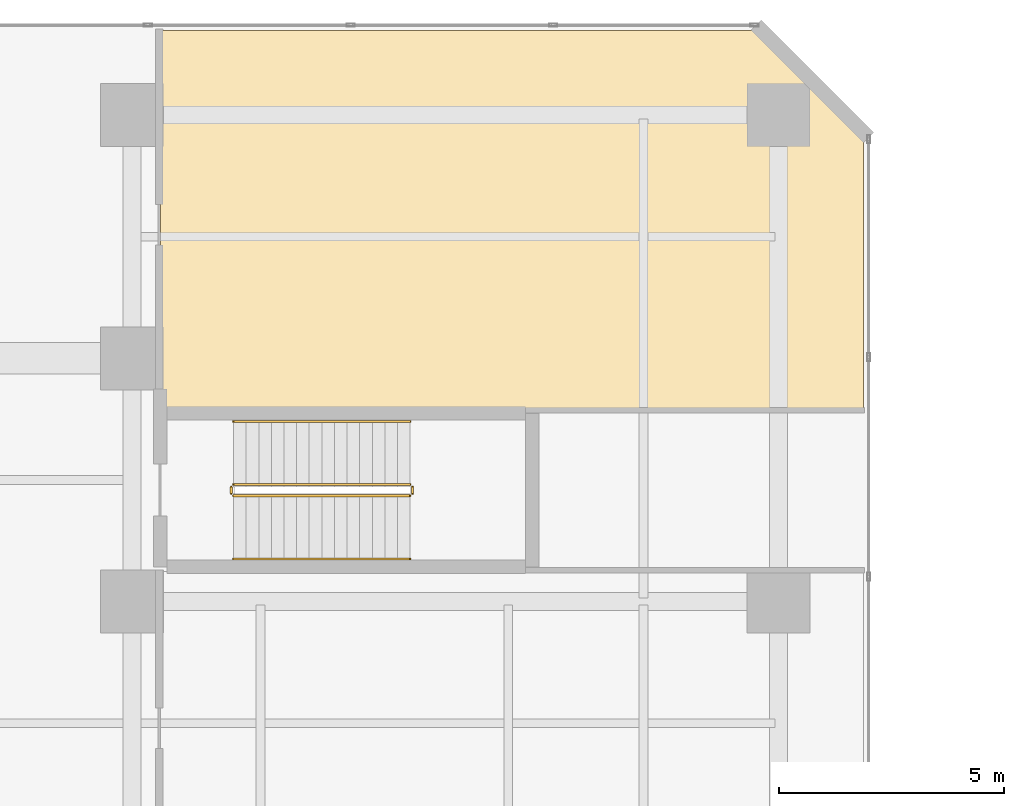
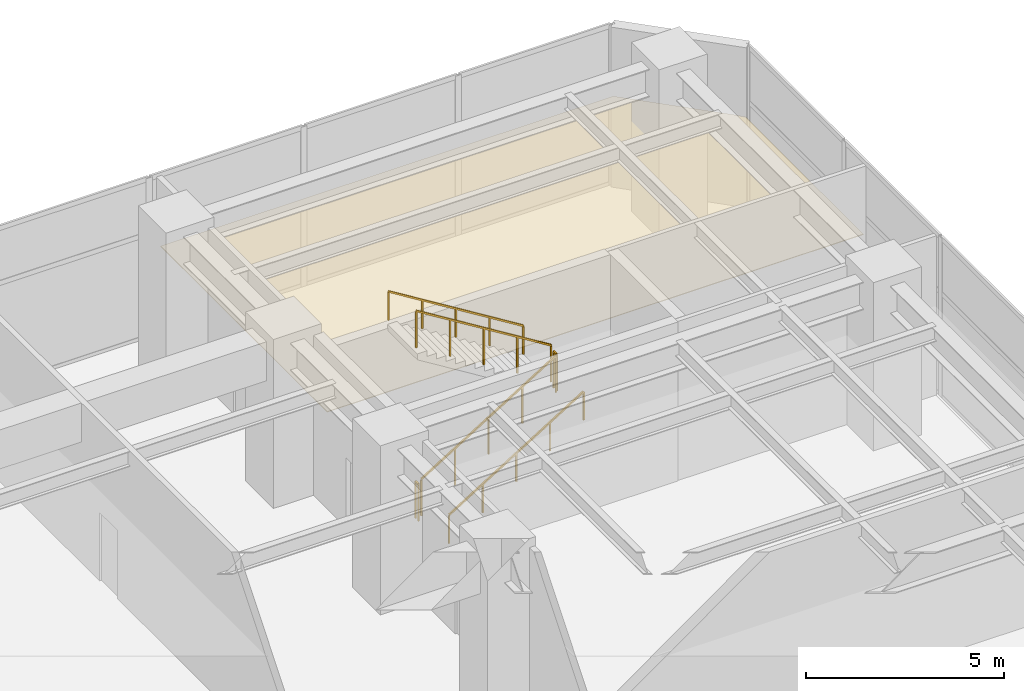
# One storey, part 22 of 22: 6 railings, 1 covering.
"""IFC4 building model written with IfcOpenShell, lengths in metres."""

import ifcopenshell
import ifcopenshell.guid

model = None  # the IFC model being written
_history = None  # IfcOwnerHistory: only IFC2X3 demands one
_inside = {}  # id of a spatial element -> (the spatial element, [elements in it])
_under = {}  # id of a project, library or spatial element -> (it, [spatial elements below it])
_declared = {}  # id of a project -> (the project, [libraries it declares])
_typed = {}  # id of a type object -> (the type object, [elements of that type])
_made_of = {}  # id of a material, layer set ... -> (it, [elements and type objects made of it])


def new_model(schema):
    """Start an empty IFC model of exactly this schema.

    Asked for "IFC4X3", IfcOpenShell would pick the latest addendum, in which some entities
    have other attributes; the version numbers below select the first issue.
    IFC2X3 requires an IfcOwnerHistory on every rooted entity: one is made here for all.
    """
    global model, _history
    if schema == "IFC4X3":
        model = ifcopenshell.file(schema_version=(4, 3, 0, 0))
    else:
        model = ifcopenshell.file(schema=schema)
    _inside.clear()
    _under.clear()
    _declared.clear()
    _typed.clear()
    _made_of.clear()
    _history = None
    if model.schema == "IFC2X3":
        org = make("IfcOrganization", Name="unknown")
        user = make(
            "IfcPersonAndOrganization",
            ThePerson=make("IfcPerson", FamilyName="unknown"),
            TheOrganization=org,
        )
        app = make(
            "IfcApplication",
            ApplicationDeveloper=org,
            Version="unknown",
            ApplicationFullName="unknown",
            ApplicationIdentifier="unknown",
        )
        _history = make(
            "IfcOwnerHistory",
            OwningUser=user,
            OwningApplication=app,
            ChangeAction="ADDED",
            CreationDate=0,
        )
    return model


def make(cls, **values):
    """One entity of the class cls with the attributes given. An attribute that is None is left unset."""
    return model.create_entity(
        cls, **{name: value for name, value in values.items() if value is not None}
    )


def rooted(cls, **values):
    """An entity with a GlobalId (a new one), such as an element, a storey or a relation."""
    return make(cls, GlobalId=ifcopenshell.guid.new(), OwnerHistory=_history, **values)


def si_unit(unit_type, name, prefix=None):
    """IfcSIUnit, for example si_unit("LENGTHUNIT", "METRE", prefix="MILLI")."""
    return make("IfcSIUnit", UnitType=unit_type, Prefix=prefix, Name=name)


def assignment(units):
    """IfcUnitAssignment: the units of a project."""
    return None if units is None else make("IfcUnitAssignment", Units=units)


def point(xyz):
    """IfcCartesianPoint."""
    return None if xyz is None else make("IfcCartesianPoint", Coordinates=xyz)


def direction(xyz):
    """IfcDirection."""
    return None if xyz is None else make("IfcDirection", DirectionRatios=xyz)


def frame(location, z_axis=None, x_axis=None):
    """IfcAxis2Placement3D, a coordinate frame: its origin and axes. An axis left out is left unset."""
    return make(
        "IfcAxis2Placement3D",
        Location=point(location),
        Axis=direction(z_axis),
        RefDirection=direction(x_axis),
    )


def frame_2d(location, x_axis=None):
    """IfcAxis2Placement2D, a coordinate frame in the plane: its origin and x axis."""
    return make(
        "IfcAxis2Placement2D", Location=point(location), RefDirection=direction(x_axis)
    )


def origin():
    """The frame at (0, 0, 0) with its axes left unset."""
    return frame((0.0, 0.0, 0.0))


def origin_2d():
    """The frame at (0, 0) in the plane with its x axis left unset."""
    return frame_2d((0.0, 0.0))


def place(relative_to, where):
    """IfcLocalPlacement: puts the frame where relative to a parent placement (None: the world)."""
    return make(
        "IfcLocalPlacement", PlacementRelTo=relative_to, RelativePlacement=where
    )


def context(
    kind, dimensions, precision=None, world=None, true_north=None, identifier=None
):
    """IfcGeometricRepresentationContext, for example the 3D "Model" context."""
    return make(
        "IfcGeometricRepresentationContext",
        ContextIdentifier=identifier,
        ContextType=kind,
        CoordinateSpaceDimension=dimensions,
        Precision=precision,
        WorldCoordinateSystem=world,
        TrueNorth=true_north,
    )


def subcontext(parent, identifier, kind, view, scale=None):
    """IfcGeometricRepresentationSubContext, for example "Body" below "Model"."""
    return make(
        "IfcGeometricRepresentationSubContext",
        ContextIdentifier=identifier,
        ContextType=kind,
        ParentContext=parent,
        TargetScale=scale,
        TargetView=view,
    )


def project(units=None, contexts=None):
    """IfcProject with its units and contexts."""
    return rooted(
        "IfcProject",
        Name="project",
        RepresentationContexts=contexts,
        UnitsInContext=assignment(units),
    )


def spatial(cls, under=None, at=None, **own):
    """A site, building, storey or space (cls), placed at a placement, below another one or the project."""
    s = rooted(cls, ObjectPlacement=at, **own)
    if under is not None:
        _under.setdefault(under.id(), (under, []))[1].append(s)
    return s


def polyline(points):
    """IfcPolyline through the points."""
    return make("IfcPolyline", Points=[point(p) for p in points])


def profile(cls, at=None, kind="AREA", **sizes):
    """A parametric profile (cls). Its sizes go by their IFC names, for example OverallWidth=200.0."""
    return make(cls, ProfileType=kind, Position=at, **sizes)


def rectangle(**sizes):
    """IfcRectangleProfileDef."""
    return profile("IfcRectangleProfileDef", **sizes)


def outline(outer, holes=None, kind="AREA"):
    """IfcArbitraryClosedProfileDef: a profile drawn as a closed curve; with holes, ...WithVoids."""
    if holes is None:
        return make("IfcArbitraryClosedProfileDef", ProfileType=kind, OuterCurve=outer)
    return make(
        "IfcArbitraryProfileDefWithVoids",
        ProfileType=kind,
        OuterCurve=outer,
        InnerCurves=holes,
    )


def extrude(swept, where, along, depth):
    """IfcExtrudedAreaSolid: the profile swept, set in the frame where, extruded along a direction by depth."""
    return make(
        "IfcExtrudedAreaSolid",
        SweptArea=swept,
        Position=where,
        ExtrudedDirection=direction(along),
        Depth=depth,
    )


def shape(context_of_items, identifier, shape_type, items):
    """IfcShapeRepresentation: the items that make up one representation, for example the "Body"."""
    return make(
        "IfcShapeRepresentation",
        ContextOfItems=context_of_items,
        RepresentationIdentifier=identifier,
        RepresentationType=shape_type,
        Items=items,
    )


def material(Name=None, Category=None):
    """IfcMaterial."""
    return make("IfcMaterial", Name=Name, Category=Category)


def layer(
    of_material, thickness, ventilated=None, Name=None, Category=None, Priority=None
):
    """IfcMaterialLayer: one layer of a wall or slab, of a material (None: an air gap)."""
    return make(
        "IfcMaterialLayer",
        Material=of_material,
        LayerThickness=thickness,
        IsVentilated=ventilated,
        Name=Name,
        Category=Category,
        Priority=Priority,
    )


def layer_set(layers, Name=None):
    """IfcMaterialLayerSet."""
    return make("IfcMaterialLayerSet", MaterialLayers=layers, LayerSetName=Name)


def made_of(thing, what):
    """Note that an element or type object is made of a material, layer set ...; save() writes the relation."""
    if what is not None:
        _made_of.setdefault(what.id(), (what, []))[1].append(thing)
    return thing


def type_object(cls, material=None, **own):
    """A type object (cls), such as IfcWallType, which elements share."""
    return made_of(rooted(cls, **own), material)


def element(
    cls,
    number,
    at=None,
    inside=None,
    cuts=None,
    type_object=None,
    material=None,
    context=None,
    identifier="Body",
    shape_type=None,
    held_by="IfcProductDefinitionShape",
    body=None,
    shapes=None,
    **own,
):
    """One element of the class cls, such as IfcWall. Its Tag is "e" and its number.

    at: its placement. inside: the storey or other place that contains it. cuts: it is an
    opening in that element (IfcRelVoidsElement). A single representation is given by context,
    identifier, shape_type and body (its items); several are given by shapes. held_by: the class
    of the entity that holds the representations. save() writes the other relations.
    """
    e = rooted(cls, Tag="e%d" % number, ObjectPlacement=at, **own)
    if body is not None:
        shapes = [shape(context, identifier, shape_type, body)]
    if shapes is not None:
        e.Representation = make(held_by, Representations=shapes)
    if inside is not None:
        _inside.setdefault(inside.id(), (inside, []))[1].append(e)
    if cuts is not None:
        rooted(
            "IfcRelVoidsElement", RelatingBuildingElement=cuts, RelatedOpeningElement=e
        )
    if type_object is not None:
        _typed.setdefault(type_object.id(), (type_object, []))[1].append(e)
    return made_of(e, material)


def aggregate(whole, parts):
    """IfcRelAggregates: a whole, such as a stair, and the parts it consists of."""
    return rooted("IfcRelAggregates", RelatingObject=whole, RelatedObjects=parts)


def save(model, path):
    """Write the relations noted so far, then the file.

    IfcRelAggregates (storeys below a building ...), IfcRelContainedInSpatialStructure (elements
    in a storey), IfcRelDefinesByType, IfcRelAssociatesMaterial and IfcRelDeclares: one each for
    every whole, place, type object, material and project.
    """
    for whole, parts in _under.values():
        aggregate(whole, parts)
    for where, things in _inside.values():
        rooted(
            "IfcRelContainedInSpatialStructure",
            RelatedElements=things,
            RelatingStructure=where,
        )
    for kind, things in _typed.values():
        rooted("IfcRelDefinesByType", RelatedObjects=things, RelatingType=kind)
    for what, things in _made_of.values():
        rooted("IfcRelAssociatesMaterial", RelatedObjects=things, RelatingMaterial=what)
    for by, libraries in _declared.values():
        rooted("IfcRelDeclares", RelatingContext=by, RelatedDefinitions=libraries)
    model.write(path)


model = new_model("IFC4")

# Units and contexts
model_context = context("Model", 3, precision=1e-05, world=origin(), true_north=direction((0.0, 1.0)))
body_context = subcontext(model_context, "Body", "Model", "MODEL_VIEW")
ifc_project = project(units=[si_unit("LENGTHUNIT", "METRE"), si_unit("AREAUNIT", "SQUARE_METRE"), si_unit("VOLUMEUNIT", "CUBIC_METRE"), si_unit("PLANEANGLEUNIT", "RADIAN"), si_unit("MASSUNIT", "GRAM", prefix="KILO")], contexts=[model_context])

# Site, building, storey
site_placement = place(None, origin())
site = spatial("IfcSite", under=ifc_project, at=site_placement, CompositionType="ELEMENT")
building_placement = place(site_placement, origin())
building = spatial("IfcBuilding", under=site, at=building_placement, Name="Mawjaban Terraces University", CompositionType="ELEMENT")
storey_placement = place(building_placement, frame((0.0, 0.0, 5.199951171875)))
storey = spatial("IfcBuildingStorey", under=building, at=storey_placement, Name="L01", CompositionType="ELEMENT", Elevation=5.199951171875)

# Covering
ifc_material_1 = material(Name="Acoustic mineral fibre ceiling tile", Category="masonry")
ifc_layer = layer(ifc_material_1, 0.02001953125)
ifc_layer_set = layer_set([ifc_layer], Name="Acoustic mineral fibre ceiling tile")
covering_type = type_object("IfcCoveringType", Name="AcousticMineralCeiling_20", PredefinedType="CEILING", material=ifc_layer_set)
covering_placement = place(storey_placement, frame((0.0, 0.0, 2.75)))
element("IfcCovering", 1, at=covering_placement, inside=storey, type_object=covering_type, Name="L01 Special Collections Study Room Acoustic Ceiling", PredefinedType="CEILING", context=body_context, shape_type="SweptSolid", body=[
    extrude(outline(polyline([(53.885009765625, 45.47998046875), (53.885009765625, 51.452880859375), (51.452880859375, 53.885009765625), (38.280029296875, 53.885009765625), (38.280029296875, 45.47998046875), (53.885009765625, 45.47998046875)])), origin(), (0.0, 0.0, 1.0), 0.02001953125),
])

# Railings
ifc_material_2 = material(Name="Brushed stainless steel 316", Category="steel")
railing_type_1 = type_object("IfcRailingType", Name="StairWallHandrail_900", PredefinedType="HANDRAIL", material=ifc_material_2)
railing_1_placement = place(storey_placement, frame((39.89990234375, 42.14990234375, 0.17333984375)))
element("IfcRailing", 2, at=railing_1_placement, inside=storey, type_object=railing_type_1, Name="L01 ST-4 stair handrail 1", PredefinedType="HANDRAIL", context=body_context, shape_type="SweptSolid", body=[
    extrude(rectangle(XDim=0.048095703125, YDim=0.048095703125, at=origin_2d()), frame((0.0, 0.0, 0.8759765625), z_axis=(0.850266275192, 0.0, 0.526352791643), x_axis=(0.0, 1.0, 0.0)), (0.0, 0.0, 1.0), 4.610595703125),
    extrude(rectangle(XDim=0.0419921875, YDim=0.0419921875, at=origin_2d()), origin(), (0.0, 0.0, 1.0), 0.851806640625),
    extrude(rectangle(XDim=0.0419921875, YDim=0.0419921875, at=origin_2d()), frame((0.97998046875, 0.0, 0.606689453125)), (0.0, 0.0, 1.0), 0.851806640625),
    extrude(rectangle(XDim=0.0419921875, YDim=0.0419921875, at=origin_2d()), frame((1.9599609375, 0.0, 1.21337890625)), (0.0, 0.0, 1.0), 0.851806640625),
    extrude(rectangle(XDim=0.0419921875, YDim=0.0419921875, at=origin_2d()), frame((2.940185546875, 0.0, 1.820068359375)), (0.0, 0.0, 1.0), 0.851806640625),
    extrude(rectangle(XDim=0.0419921875, YDim=0.0419921875, at=origin_2d()), frame((3.920166015625, 0.0, 2.4267578125)), (0.0, 0.0, 1.0), 0.851806640625),
])
railing_2_placement = place(storey_placement, frame((43.820068359375, 45.199951171875, 2.7734375)))
element("IfcRailing", 3, at=railing_2_placement, inside=storey, type_object=railing_type_1, Name="L01 ST-4 stair handrail 2", PredefinedType="HANDRAIL", context=body_context, shape_type="SweptSolid", body=[
    extrude(rectangle(XDim=0.048095703125, YDim=0.048095703125, at=origin_2d()), frame((0.0, 0.0, 0.8759765625), z_axis=(-0.850289973577, 0.0, 0.526314507528), x_axis=(0.0, -1.0, 0.0)), (0.0, 0.0, 1.0), 4.6103515625),
    extrude(rectangle(XDim=0.0419921875, YDim=0.0419921875, at=origin_2d()), origin(), (0.0, 0.0, 1.0), 0.851806640625),
    extrude(rectangle(XDim=0.0419921875, YDim=0.0419921875, at=origin_2d()), frame((-0.97998046875, 0.0, 0.606689453125)), (0.0, 0.0, 1.0), 0.851806640625),
    extrude(rectangle(XDim=0.0419921875, YDim=0.0419921875, at=origin_2d()), frame((-1.9599609375, 0.0, 1.21337890625)), (0.0, 0.0, 1.0), 0.851806640625),
    extrude(rectangle(XDim=0.0419921875, YDim=0.0419921875, at=origin_2d()), frame((-2.940185546875, 0.0, 1.81982421875)), (0.0, 0.0, 1.0), 0.851806640625),
    extrude(rectangle(XDim=0.0419921875, YDim=0.0419921875, at=origin_2d()), frame((-3.920166015625, 0.0, 2.426513671875)), (0.0, 0.0, 1.0), 0.851806640625),
])
ifc_material_3 = material(Name="Galvanised painted steel S355", Category="steel")
railing_type_2 = type_object("IfcRailingType", Name="StairWellGuard_1150", PredefinedType="BALUSTRADE", material=ifc_material_3)
railing_3_placement = place(storey_placement, frame((39.89990234375, 43.550048828125, 0.17333984375)))
element("IfcRailing", 4, at=railing_3_placement, inside=storey, type_object=railing_type_2, Name="L01 ST-4 stair guard 1", PredefinedType="BALUSTRADE", context=body_context, shape_type="SweptSolid", body=[
    extrude(rectangle(XDim=0.048095703125, YDim=0.048095703125, at=origin_2d()), frame((0.0, 0.0, 1.1259765625), z_axis=(0.850266275192, 0.0, 0.526352791643), x_axis=(0.0, 1.0, 0.0)), (0.0, 0.0, 1.0), 4.610595703125),
    extrude(rectangle(XDim=0.0419921875, YDim=0.0419921875, at=origin_2d()), origin(), (0.0, 0.0, 1.0), 1.101806640625),
    extrude(rectangle(XDim=0.0419921875, YDim=0.0419921875, at=origin_2d()), frame((0.97998046875, 0.0, 0.606689453125)), (0.0, 0.0, 1.0), 1.101806640625),
    extrude(rectangle(XDim=0.0419921875, YDim=0.0419921875, at=origin_2d()), frame((1.9599609375, 0.0, 1.21337890625)), (0.0, 0.0, 1.0), 1.101806640625),
    extrude(rectangle(XDim=0.0419921875, YDim=0.0419921875, at=origin_2d()), frame((2.940185546875, 0.0, 1.820068359375)), (0.0, 0.0, 1.0), 1.101806640625),
    extrude(rectangle(XDim=0.0419921875, YDim=0.0419921875, at=origin_2d()), frame((3.920166015625, 0.0, 2.4267578125)), (0.0, 0.0, 1.0), 1.101806640625),
])
railing_4_placement = place(storey_placement, frame((43.8701171875, 43.60009765625, 2.60009765625)))
element("IfcRailing", 5, at=railing_4_placement, inside=storey, type_object=railing_type_2, Name="L01 ST-4 stair guard 2", PredefinedType="BALUSTRADE", context=body_context, shape_type="SweptSolid", body=[
    extrude(rectangle(XDim=0.048095703125, YDim=0.048095703125, at=origin_2d()), frame((0.0, 0.0, 1.1259765625), z_axis=(0.0, 1.0, 0.0), x_axis=(-1.0, 0.0, 0.0)), (0.0, 0.0, 1.0), 0.14990234375),
    extrude(rectangle(XDim=0.0419921875, YDim=0.0419921875, at=origin_2d()), origin(), (0.0, 0.0, 1.0), 1.101806640625),
    extrude(rectangle(XDim=0.0419921875, YDim=0.0419921875, at=origin_2d()), frame((0.0, 0.14990234375, 0.0)), (0.0, 0.0, 1.0), 1.101806640625),
])
railing_5_placement = place(storey_placement, frame((43.820068359375, 43.800048828125, 2.7734375)))
element("IfcRailing", 6, at=railing_5_placement, inside=storey, type_object=railing_type_2, Name="L01 ST-4 stair guard 3", PredefinedType="BALUSTRADE", context=body_context, shape_type="SweptSolid", body=[
    extrude(rectangle(XDim=0.048095703125, YDim=0.048095703125, at=origin_2d()), frame((0.0, 0.0, 1.1259765625), z_axis=(-0.850289973577, 0.0, 0.526314507528), x_axis=(0.0, -1.0, 0.0)), (0.0, 0.0, 1.0), 4.6103515625),
    extrude(rectangle(XDim=0.0419921875, YDim=0.0419921875, at=origin_2d()), origin(), (0.0, 0.0, 1.0), 1.101806640625),
    extrude(rectangle(XDim=0.0419921875, YDim=0.0419921875, at=origin_2d()), frame((-0.97998046875, 0.0, 0.606689453125)), (0.0, 0.0, 1.0), 1.101806640625),
    extrude(rectangle(XDim=0.0419921875, YDim=0.0419921875, at=origin_2d()), frame((-1.9599609375, 0.0, 1.21337890625)), (0.0, 0.0, 1.0), 1.101806640625),
    extrude(rectangle(XDim=0.0419921875, YDim=0.0419921875, at=origin_2d()), frame((-2.940185546875, 0.0, 1.81982421875)), (0.0, 0.0, 1.0), 1.101806640625),
    extrude(rectangle(XDim=0.0419921875, YDim=0.0419921875, at=origin_2d()), frame((-3.920166015625, 0.0, 2.426513671875)), (0.0, 0.0, 1.0), 1.101806640625),
])
railing_6_placement = place(storey_placement, frame((39.85009765625, 43.60009765625, 0.0)))
element("IfcRailing", 7, at=railing_6_placement, inside=storey, type_object=railing_type_2, Name="L01 ST-4 stair guard 4", PredefinedType="BALUSTRADE", context=body_context, shape_type="SweptSolid", body=[
    extrude(rectangle(XDim=0.048095703125, YDim=0.048095703125, at=origin_2d()), frame((0.0, 0.0, 1.1259765625), z_axis=(0.0, 1.0, 0.0), x_axis=(-1.0, 0.0, 0.0)), (0.0, 0.0, 1.0), 0.14990234375),
    extrude(rectangle(XDim=0.0419921875, YDim=0.0419921875, at=origin_2d()), origin(), (0.0, 0.0, 1.0), 1.101806640625),
    extrude(rectangle(XDim=0.0419921875, YDim=0.0419921875, at=origin_2d()), frame((0.0, 0.14990234375, 0.0)), (0.0, 0.0, 1.0), 1.101806640625),
])

save(model, "model.ifc")
